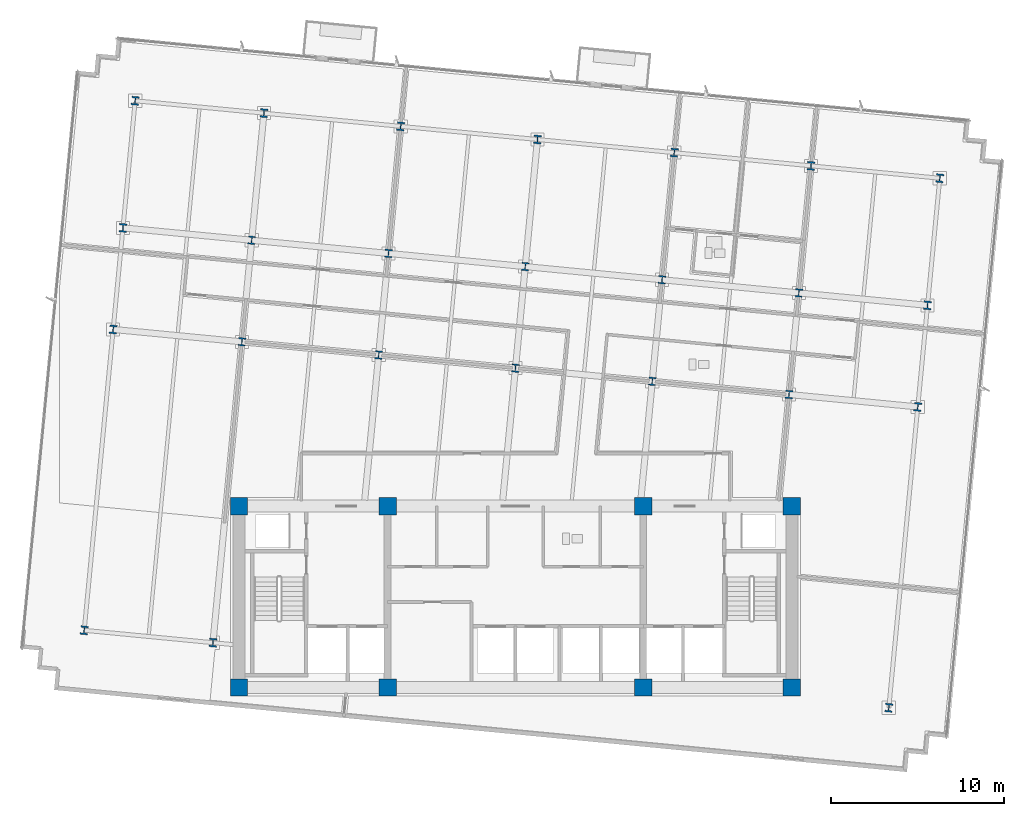
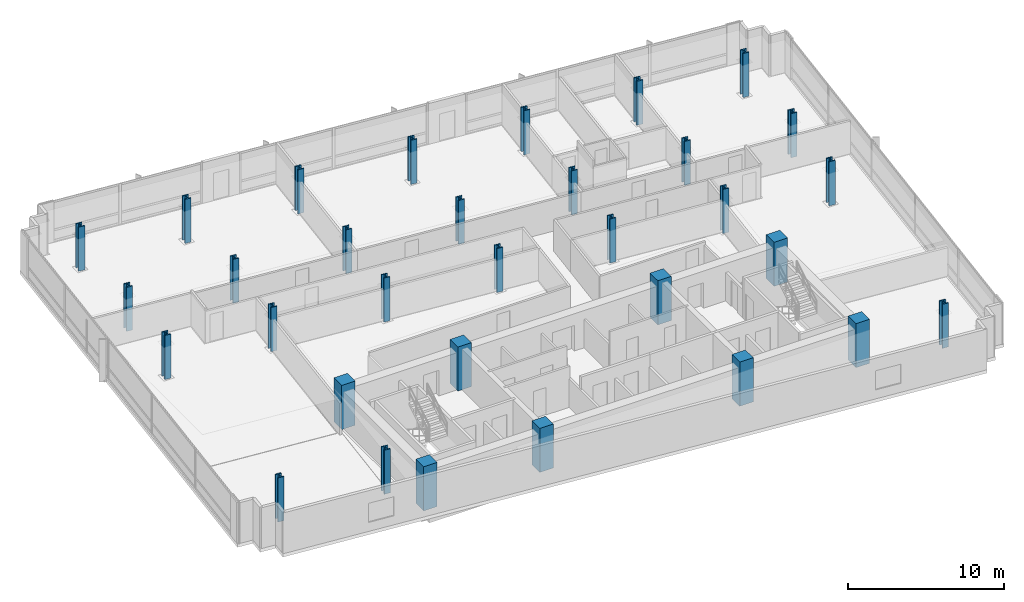
# One storey, part 1 of 16: 32 columns.
"""IFC4 building model written with IfcOpenShell, lengths in metres."""

from ifc_helpers import new_model, si_unit, direction, frame, origin, origin_2d, place, context, subcontext, project, spatial, rectangle, i_section, extrude, material, material_profile, profile_set, type_object, element, save


model = new_model("IFC4")

# Units and contexts
model_context = context("Model", 3, precision=1e-05, world=origin(), true_north=direction((0.0, 1.0)))
body_context = subcontext(model_context, "Body", "Model", "MODEL_VIEW")
ifc_project = project(units=[si_unit("LENGTHUNIT", "METRE"), si_unit("AREAUNIT", "SQUARE_METRE"), si_unit("VOLUMEUNIT", "CUBIC_METRE"), si_unit("PLANEANGLEUNIT", "RADIAN"), si_unit("MASSUNIT", "GRAM", prefix="KILO")], contexts=[model_context])

# Site, building, storey
site_placement = place(None, origin())
site = spatial("IfcSite", under=ifc_project, at=site_placement, CompositionType="ELEMENT")
building_placement = place(site_placement, origin())
building = spatial("IfcBuilding", under=site, at=building_placement, Name="Solmavex Isthmus Hotel", CompositionType="ELEMENT")
storey_placement = place(building_placement, frame((0.0, 0.0, 166.949951171875)))
storey = spatial("IfcBuildingStorey", under=building, at=storey_placement, Name="L45", CompositionType="ELEMENT", Elevation=166.949951171875)

# Columns
ifc_material_1 = material(Name="Concrete C60/75", Category="concrete")
ifc_material_profile_1 = material_profile(ifc_material_1, rectangle(XDim=1.0, YDim=1.0, at=origin_2d()), Name="RC1000X1000")
ifc_profile_set_1 = profile_set([ifc_material_profile_1], Name="Concrete C60/75")
column_type_1 = type_object("IfcColumnType", Name="COL-CC-1000", PredefinedType="COLUMN", material=ifc_profile_set_1)
for number, where, z_axis, x_axis, name in (
    (1, (-16.0, -13.0, 0.0), (0.0, 0.0, 1.0), (1.0, 0.0, 0.0), "Core Pilaster CC-SW L45"),
    (2, (-7.39990234375, -13.0, 0.0), (0.0, 0.0, 1.0), (1.0, 0.0, 0.0), "Core Pilaster CC-S1 L45"),
    (3, (7.39990234375, -13.0, 0.0), (0.0, 0.0, 1.0), (1.0, 0.0, 0.0), "Core Pilaster CC-S2 L45"),
    (4, (16.0, -13.0, 0.0), (0.0, 0.0, 1.0), (1.0, 0.0, 0.0), "Core Pilaster CC-SE L45"),
    (5, (-16.0, -2.5, 0.0), (0.0, 0.0, 1.0), (1.0, 0.0, 0.0), "Core Pilaster CC-NW L45"),
    (6, (-7.39990234375, -2.5, 0.0), (0.0, 0.0, 1.0), (1.0, 0.0, 0.0), "Core Pilaster CC-N1 L45"),
    (7, (7.39990234375, -2.5, 0.0), (0.0, 0.0, 1.0), (1.0, 0.0, 0.0), "Core Pilaster CC-N2 L45"),
    (8, (16.0, -2.5, 0.0), (0.0, 0.0, 1.0), (1.0, 0.0, 0.0), "Core Pilaster CC-NE L45"),
):
    element("IfcColumn", number, at=place(storey_placement, frame(where, z_axis=z_axis, x_axis=x_axis)), inside=storey, type_object=column_type_1, Name=name, PredefinedType="COLUMN", context=body_context, shape_type="SweptSolid", body=[
        extrude(rectangle(XDim=1.0, YDim=1.0, at=origin_2d()), origin(), (0.0, 0.0, 1.0), 3.449951171875),
    ])
ifc_material_2 = material(Name="Steel ASTM A913 Grade 65", Category="steel")
ifc_material_profile_2 = material_profile(ifc_material_2, i_section(OverallWidth=0.424072265625, OverallDepth=0.47412109375, WebThickness=0.047607421875, FlangeThickness=0.0771484375, FilletRadius=0.030517578125, at=origin_2d()), Name="W14X426")
ifc_profile_set_2 = profile_set([ifc_material_profile_2], Name="Steel ASTM A913 Grade 65")
column_type_2 = type_object("IfcColumnType", Name="COL-SC-W14X426", PredefinedType="COLUMN", material=ifc_profile_set_2)
for number, where, z_axis, x_axis, name in (
    (9, (-15.83740234375, 7.015380859375, 0.0), (0.0, 0.0, 1.0), (0.995396198367, -0.09584575252, 0.0), "Tower Column B3-U2V2 L45"),
    (10, (-15.271240234375, 12.896240234375, 0.0), (0.0, 0.0, 1.0), (0.995396198367, -0.09584575252, 0.0), "Tower Column B3-U2V3 L45"),
    (11, (-7.918212890625, 6.2529296875, 0.0), (0.0, 0.0, 1.0), (0.995396198367, -0.09584575252, 0.0), "Tower Column B3-U3V2 L45"),
    (12, (-7.351806640625, 12.1337890625, 0.0), (0.0, 0.0, 1.0), (0.995396198367, -0.09584575252, 0.0), "Tower Column B3-U3V3 L45"),
    (13, (0.001220703125, 5.490234375, 0.0), (0.0, 0.0, 1.0), (0.995396198367, -0.09584575252, 0.0), "Tower Column B3-U4V2 L45"),
    (14, (0.567626953125, 11.37109375, 0.0), (0.0, 0.0, 1.0), (0.995396198367, -0.09584575252, 0.0), "Tower Column B3-U4V3 L45"),
    (15, (7.920654296875, 4.727783203125, 0.0), (0.0, 0.0, 1.0), (0.995396198367, -0.09584575252, 0.0), "Tower Column B3-U5V2 L45"),
    (16, (8.48681640625, 10.608642578125, 0.0), (0.0, 0.0, 1.0), (0.995396198367, -0.09584575252, 0.0), "Tower Column B3-U5V3 L45"),
    (17, (15.840087890625, 3.96533203125, 0.0), (0.0, 0.0, 1.0), (0.995396198367, -0.09584575252, 0.0), "Tower Column B3-U6V2 L45"),
    (18, (16.40625, 9.845947265625, 0.0), (0.0, 0.0, 1.0), (0.995396198367, -0.09584575252, 0.0), "Tower Column B3-U6V3 L45"),
):
    element("IfcColumn", number, at=place(storey_placement, frame(where, z_axis=z_axis, x_axis=x_axis)), inside=storey, type_object=column_type_2, Name=name, PredefinedType="COLUMN", context=body_context, shape_type="SweptSolid", body=[
        extrude(i_section(OverallWidth=0.424072265625, OverallDepth=0.47412109375, WebThickness=0.047607421875, FlangeThickness=0.0771484375, FilletRadius=0.030517578125, at=origin_2d()), origin(), (0.0, 0.0, 1.0), 3.449951171875),
    ])
ifc_material_profile_3 = material_profile(ifc_material_2, i_section(OverallWidth=0.43212890625, OverallDepth=0.497802734375, WebThickness=0.0556640625, FlangeThickness=0.0888671875, FilletRadius=0.030517578125, at=origin_2d()), Name="W14X500")
ifc_profile_set_3 = profile_set([ifc_material_profile_3], Name="Steel ASTM A913 Grade 65")
column_type_3 = type_object("IfcColumnType", Name="COL-SC-W14X500", PredefinedType="COLUMN", material=ifc_profile_set_3)
for number, where, z_axis, x_axis, name in (
    (19, (-24.96826171875, -9.686279296875, 0.0), (0.0, 0.0, 1.0), (0.995396198367, -0.09584575252, 0.0), "Tower Column B3-U1V1 L45"),
    (20, (-23.291015625, 7.733154296875, 0.0), (0.0, 0.0, 1.0), (0.995396198367, -0.09584575252, 0.0), "Tower Column B3-U1V2 L45"),
    (21, (-22.724853515625, 13.614013671875, 0.0), (0.0, 0.0, 1.0), (0.995396198367, -0.09584575252, 0.0), "Tower Column B3-U1V3 L45"),
    (22, (-22.016357421875, 20.971923828125, 0.0), (0.0, 0.0, 1.0), (0.995396198367, -0.09584575252, 0.0), "Tower Column B3-U1V4 L45"),
    (23, (-17.5146484375, -10.404052734375, 0.0), (0.0, 0.0, 1.0), (0.995396198367, -0.09584575252, 0.0), "Tower Column B3-U2V1 L45"),
    (24, (-14.562744140625, 20.254150390625, 0.0), (0.0, 0.0, 1.0), (0.995396198367, -0.09584575252, 0.0), "Tower Column B3-U2V4 L45"),
    (25, (-6.643310546875, 19.49169921875, 0.0), (0.0, 0.0, 1.0), (0.995396198367, -0.09584575252, 0.0), "Tower Column B3-U3V4 L45"),
    (26, (1.276123046875, 18.72900390625, 0.0), (0.0, 0.0, 1.0), (0.995396198367, -0.09584575252, 0.0), "Tower Column B3-U4V4 L45"),
    (27, (9.1953125, 17.966552734375, 0.0), (0.0, 0.0, 1.0), (0.995396198367, -0.09584575252, 0.0), "Tower Column B3-U5V4 L45"),
    (28, (17.11474609375, 17.2041015625, 0.0), (0.0, 0.0, 1.0), (0.995396198367, -0.09584575252, 0.0), "Tower Column B3-U6V4 L45"),
    (29, (21.6162109375, -14.171875, 0.0), (0.0, 0.0, 1.0), (0.995396198367, -0.09584575252, 0.0), "Tower Column B3-U7V1 L45"),
    (30, (23.29345703125, 3.24755859375, 0.0), (0.0, 0.0, 1.0), (0.995396198367, -0.09584575252, 0.0), "Tower Column B3-U7V2 L45"),
    (31, (23.85986328125, 9.12841796875, 0.0), (0.0, 0.0, 1.0), (0.995396198367, -0.09584575252, 0.0), "Tower Column B3-U7V3 L45"),
    (32, (24.568359375, 16.486328125, 0.0), (0.0, 0.0, 1.0), (0.995396198367, -0.09584575252, 0.0), "Tower Column B3-U7V4 L45"),
):
    element("IfcColumn", number, at=place(storey_placement, frame(where, z_axis=z_axis, x_axis=x_axis)), inside=storey, type_object=column_type_3, Name=name, PredefinedType="COLUMN", context=body_context, shape_type="SweptSolid", body=[
        extrude(i_section(OverallWidth=0.43212890625, OverallDepth=0.497802734375, WebThickness=0.0556640625, FlangeThickness=0.0888671875, FilletRadius=0.030517578125, at=origin_2d()), origin(), (0.0, 0.0, 1.0), 3.449951171875),
    ])

save(model, "model.ifc")
